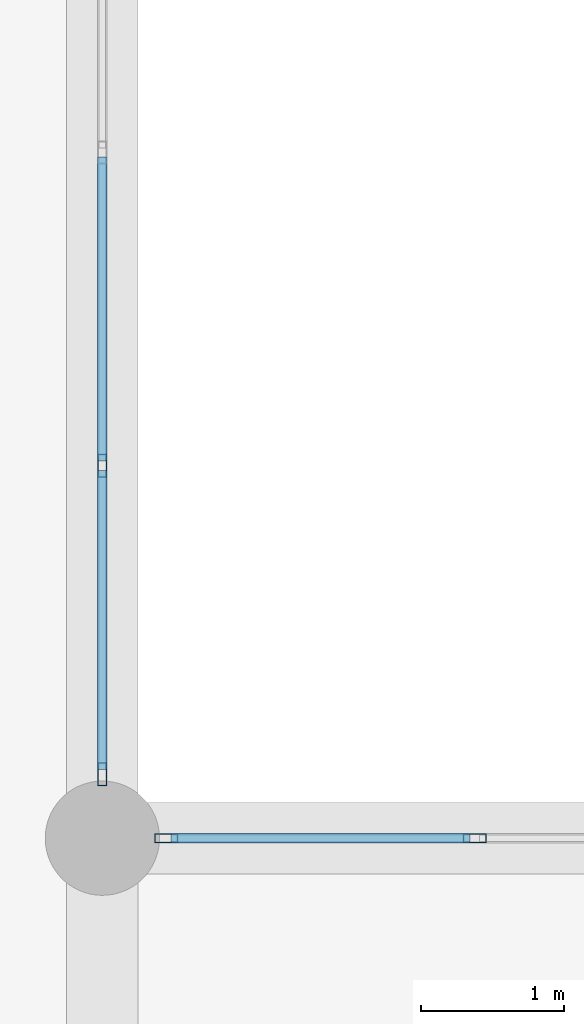
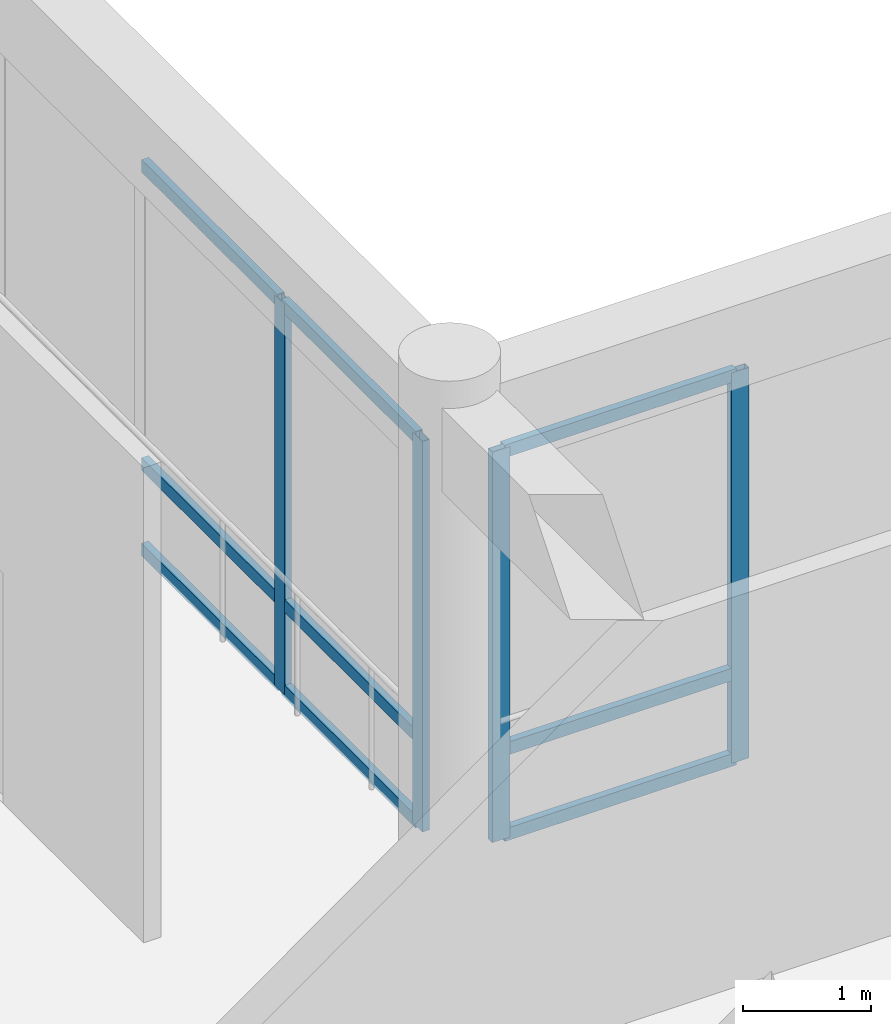
# One storey, part 4 of 101: 13 members, 2 elements without a shape of their own.
"""IFC4 building model written with IfcOpenShell, lengths in metres."""

from ifc_helpers import new_model, si_unit, direction, frame, origin, origin_2d, place, context, subcontext, project, spatial, hollow_rectangle, extrude, material, layer, layer_set, material_profile, profile_set, type_object, element, aggregate, save


model = new_model("IFC4")

# Units and contexts
model_context = context("Model", 3, precision=1e-05, world=origin(), true_north=direction((0.0, 1.0)))
body_context = subcontext(model_context, "Body", "Model", "MODEL_VIEW")
ifc_project = project(units=[si_unit("LENGTHUNIT", "METRE"), si_unit("AREAUNIT", "SQUARE_METRE"), si_unit("VOLUMEUNIT", "CUBIC_METRE"), si_unit("PLANEANGLEUNIT", "RADIAN"), si_unit("MASSUNIT", "GRAM", prefix="KILO")], contexts=[model_context])

# Site, building, storey
site_placement = place(None, origin())
site = spatial("IfcSite", under=ifc_project, at=site_placement, CompositionType="ELEMENT")
building_placement = place(site_placement, origin())
building = spatial("IfcBuilding", under=site, at=building_placement, Name="Nakhvara Creek Congress Hotel", CompositionType="ELEMENT")
storey_placement = place(building_placement, frame((0.0, 0.0, 16.199951171875)))
storey = spatial("IfcBuildingStorey", under=building, at=storey_placement, Name="L03", CompositionType="ELEMENT", Elevation=16.199951171875)

# Curtain wall, members
ifc_material_1 = material(Name="Bronze-anodised aluminium AW-6063-T6 and double-silver low-E glass", Category="aluminium")
ifc_layer = layer(ifc_material_1, 0.199951171875)
ifc_layer_set = layer_set([ifc_layer], Name="Bronze-anodised aluminium AW-6063-T6 and double-silver low-E glass")
curtain_wall_type = type_object("IfcCurtainWallType", Name="CW-POD-STICK", PredefinedType="NOTDEFINED", material=ifc_layer_set)
curtain_wall_1_placement = place(storey_placement, origin())
curtain_wall_1 = element("IfcCurtainWall", 1, at=curtain_wall_1_placement, inside=storey, type_object=curtain_wall_type, Name="Curtain Wall CW049", PredefinedType="NOTDEFINED")
ifc_material_2 = material(Name="Bronze-anodised aluminium AW-6063-T6", Category="aluminium")
ifc_material_profile_1 = material_profile(ifc_material_2, hollow_rectangle(XDim=0.06494140625, YDim=0.159912109375, WallThickness=0.00390625, at=origin_2d()), Name="ALU-MULL 65x160x4", Category="LoadBearing")
ifc_profile_set_1 = profile_set([ifc_material_profile_1], Name="Bronze-anodised aluminium AW-6063-T6")
member_type_1 = type_object("IfcMemberType", Name="CW-MULL-160", PredefinedType="MULLION", material=ifc_profile_set_1)
member_1_placement = place(storey_placement, frame((77.24755859375, 43.199951171875, 0.0), z_axis=(0.0, 0.0, 1.0), x_axis=(0.0, 1.0, 0.0)))
member_1 = element("IfcMember", 2, at=member_1_placement, type_object=member_type_1, Name="CW049 mullion 1", PredefinedType="MULLION", context=body_context, shape_type="SweptSolid", body=[
    extrude(hollow_rectangle(XDim=0.06494140625, YDim=0.159912109375, WallThickness=0.00390625, at=origin_2d()), origin(), (0.0, 0.0, 1.0), 3.73193359375),
])
member_2_placement = place(storey_placement, frame((79.407470703125, 43.199951171875, 0.0), z_axis=(0.0, 0.0, 1.0), x_axis=(0.0, 1.0, 0.0)))
member_2 = element("IfcMember", 3, at=member_2_placement, type_object=member_type_1, Name="CW049 mullion 2", PredefinedType="MULLION", context=body_context, shape_type="SweptSolid", body=[
    extrude(hollow_rectangle(XDim=0.06494140625, YDim=0.159912109375, WallThickness=0.00390625, at=origin_2d()), origin(), (0.0, 0.0, 1.0), 3.73193359375),
])

curtain_wall_2_placement = place(storey_placement, origin())
curtain_wall_2 = element("IfcCurtainWall", 4, at=curtain_wall_2_placement, inside=storey, type_object=curtain_wall_type, Name="Curtain Wall CW059", PredefinedType="NOTDEFINED")
member_3_placement = place(storey_placement, frame((76.800048828125, 45.8076171875, 0.0), z_axis=(0.0, 0.0, 1.0), x_axis=(1.0, 0.0, 0.0)))
member_3 = element("IfcMember", 5, at=member_3_placement, type_object=member_type_1, Name="CW059 mullion 4", PredefinedType="MULLION", context=body_context, shape_type="SweptSolid", body=[
    extrude(hollow_rectangle(XDim=0.06494140625, YDim=0.159912109375, WallThickness=0.00390625, at=origin_2d()), origin(), (0.0, 0.0, 1.0), 3.73193359375),
])
member_4_placement = place(storey_placement, frame((76.800048828125, 43.6474609375, 0.0), z_axis=(0.0, 0.0, 1.0), x_axis=(1.0, 0.0, 0.0)))
member_4 = element("IfcMember", 6, at=member_4_placement, type_object=member_type_1, Name="CW059 mullion 5", PredefinedType="MULLION", context=body_context, shape_type="SweptSolid", body=[
    extrude(hollow_rectangle(XDim=0.06494140625, YDim=0.159912109375, WallThickness=0.00390625, at=origin_2d()), origin(), (0.0, 0.0, 1.0), 3.73193359375),
])

# Member
ifc_material_profile_2 = material_profile(ifc_material_2, hollow_rectangle(XDim=0.06494140625, YDim=0.1201171875, WallThickness=0.00390625, at=origin_2d()), Name="ALU-TRAN 65x120x4", Category="LoadBearing")
ifc_profile_set_2 = profile_set([ifc_material_profile_2], Name="Bronze-anodised aluminium AW-6063-T6")
member_type_2 = type_object("IfcMemberType", Name="CW-TRAN-120", PredefinedType="USERDEFINED", material=ifc_profile_set_2)
member_5_placement = place(storey_placement, frame((77.280029296875, 43.199951171875, 0.032470703125), z_axis=(1.0, 0.0, 0.0), x_axis=(0.0, 1.0, 0.0)))
member_5 = element("IfcMember", 7, at=member_5_placement, type_object=member_type_2, Name="CW049 transom 1.1", ObjectType="TRANSOM", PredefinedType="USERDEFINED", context=body_context, shape_type="SweptSolid", body=[
    extrude(hollow_rectangle(XDim=0.06494140625, YDim=0.1201171875, WallThickness=0.00390625, at=origin_2d()), origin(), (0.0, 0.0, 1.0), 2.094970703125),
])

member_6_placement = place(storey_placement, frame((77.280029296875, 43.199951171875, 0.85009765625), z_axis=(1.0, 0.0, 0.0), x_axis=(0.0, 1.0, 0.0)))
member_6 = element("IfcMember", 8, at=member_6_placement, type_object=member_type_2, Name="CW049 transom 1.2", ObjectType="TRANSOM", PredefinedType="USERDEFINED", context=body_context, shape_type="SweptSolid", body=[
    extrude(hollow_rectangle(XDim=0.06494140625, YDim=0.1201171875, WallThickness=0.00390625, at=origin_2d()), origin(), (0.0, 0.0, 1.0), 2.094970703125),
])

member_7_placement = place(storey_placement, frame((77.280029296875, 43.199951171875, 3.699462890625), z_axis=(1.0, 0.0, 0.0), x_axis=(0.0, 1.0, 0.0)))
member_7 = element("IfcMember", 9, at=member_7_placement, type_object=member_type_2, Name="CW049 transom 1.3", ObjectType="TRANSOM", PredefinedType="USERDEFINED", context=body_context, shape_type="SweptSolid", body=[
    extrude(hollow_rectangle(XDim=0.06494140625, YDim=0.1201171875, WallThickness=0.00390625, at=origin_2d()), origin(), (0.0, 0.0, 1.0), 2.094970703125),
])

aggregate(curtain_wall_1, [member_1, member_2, member_5, member_6, member_7])

member_8_placement = place(storey_placement, frame((76.800048828125, 47.967529296875, 0.032470703125), z_axis=(0.0, -1.0, 0.0), x_axis=(1.0, 0.0, 0.0)))
member_8 = element("IfcMember", 10, at=member_8_placement, type_object=member_type_2, Name="CW059 transom 3.1", ObjectType="TRANSOM", PredefinedType="USERDEFINED", context=body_context, shape_type="SweptSolid", body=[
    extrude(hollow_rectangle(XDim=0.06494140625, YDim=0.1201171875, WallThickness=0.00390625, at=origin_2d()), origin(), (0.0, 0.0, 1.0), 2.12744140625),
])

member_9_placement = place(storey_placement, frame((76.800048828125, 47.967529296875, 0.85009765625), z_axis=(0.0, -1.0, 0.0), x_axis=(1.0, 0.0, 0.0)))
member_9 = element("IfcMember", 11, at=member_9_placement, type_object=member_type_2, Name="CW059 transom 3.2", ObjectType="TRANSOM", PredefinedType="USERDEFINED", context=body_context, shape_type="SweptSolid", body=[
    extrude(hollow_rectangle(XDim=0.06494140625, YDim=0.1201171875, WallThickness=0.00390625, at=origin_2d()), origin(), (0.0, 0.0, 1.0), 2.12744140625),
])

member_10_placement = place(storey_placement, frame((76.800048828125, 47.967529296875, 3.699462890625), z_axis=(0.0, -1.0, 0.0), x_axis=(1.0, 0.0, 0.0)))
member_10 = element("IfcMember", 12, at=member_10_placement, type_object=member_type_2, Name="CW059 transom 3.3", ObjectType="TRANSOM", PredefinedType="USERDEFINED", context=body_context, shape_type="SweptSolid", body=[
    extrude(hollow_rectangle(XDim=0.06494140625, YDim=0.1201171875, WallThickness=0.00390625, at=origin_2d()), origin(), (0.0, 0.0, 1.0), 2.12744140625),
])

member_11_placement = place(storey_placement, frame((76.800048828125, 45.77490234375, 0.032470703125), z_axis=(0.0, -1.0, 0.0), x_axis=(1.0, 0.0, 0.0)))
member_11 = element("IfcMember", 13, at=member_11_placement, type_object=member_type_2, Name="CW059 transom 4.1", ObjectType="TRANSOM", PredefinedType="USERDEFINED", context=body_context, shape_type="SweptSolid", body=[
    extrude(hollow_rectangle(XDim=0.06494140625, YDim=0.1201171875, WallThickness=0.00390625, at=origin_2d()), origin(), (0.0, 0.0, 1.0), 2.094970703125),
])

member_12_placement = place(storey_placement, frame((76.800048828125, 45.77490234375, 0.85009765625), z_axis=(0.0, -1.0, 0.0), x_axis=(1.0, 0.0, 0.0)))
member_12 = element("IfcMember", 14, at=member_12_placement, type_object=member_type_2, Name="CW059 transom 4.2", ObjectType="TRANSOM", PredefinedType="USERDEFINED", context=body_context, shape_type="SweptSolid", body=[
    extrude(hollow_rectangle(XDim=0.06494140625, YDim=0.1201171875, WallThickness=0.00390625, at=origin_2d()), origin(), (0.0, 0.0, 1.0), 2.094970703125),
])

member_13_placement = place(storey_placement, frame((76.800048828125, 45.77490234375, 3.699462890625), z_axis=(0.0, -1.0, 0.0), x_axis=(1.0, 0.0, 0.0)))
member_13 = element("IfcMember", 15, at=member_13_placement, type_object=member_type_2, Name="CW059 transom 4.3", ObjectType="TRANSOM", PredefinedType="USERDEFINED", context=body_context, shape_type="SweptSolid", body=[
    extrude(hollow_rectangle(XDim=0.06494140625, YDim=0.1201171875, WallThickness=0.00390625, at=origin_2d()), origin(), (0.0, 0.0, 1.0), 2.094970703125),
])

aggregate(curtain_wall_2, [member_3, member_4, member_8, member_9, member_10, member_11, member_12, member_13])

save(model, "model.ifc")
